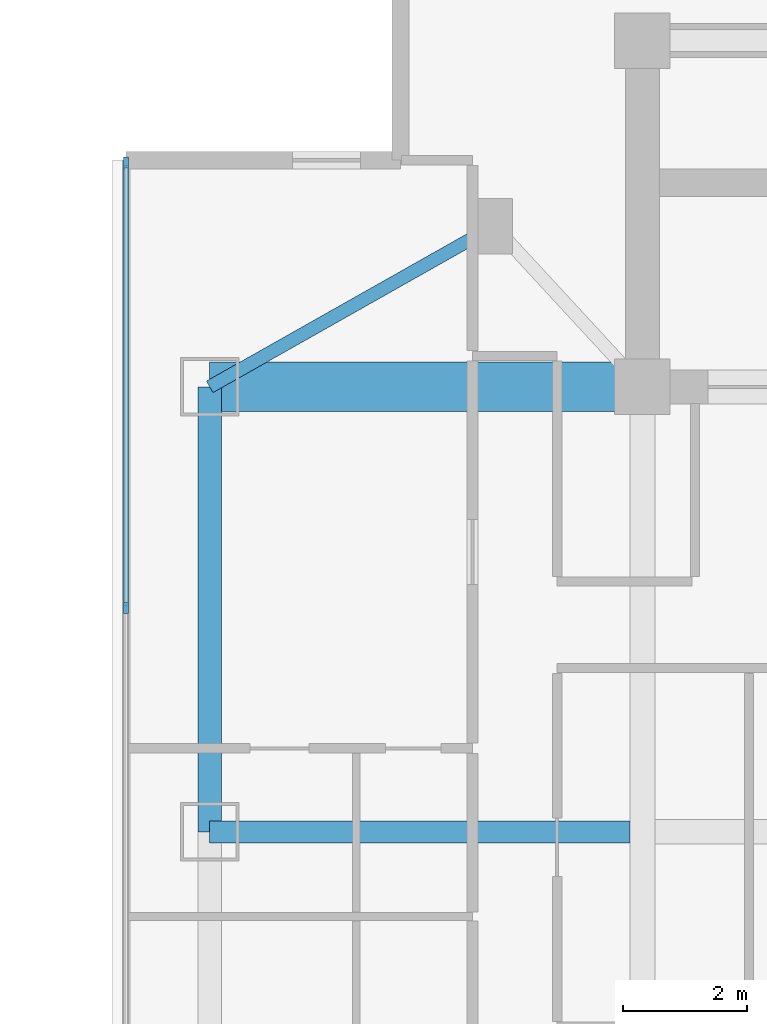
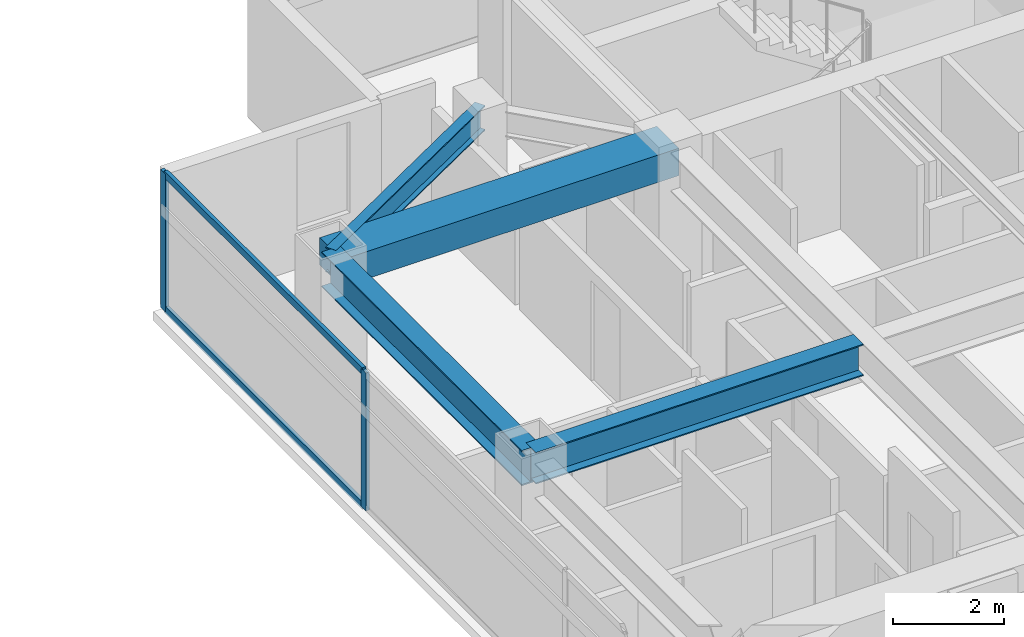
# One storey, part 7 of 24: 4 beams, 4 members, 1 element without a shape of its own.
"""IFC4 building model written with IfcOpenShell, lengths in metres."""

from ifc_helpers import new_model, si_unit, direction, frame, origin, origin_2d, place, context, subcontext, project, spatial, rectangle, i_section, extrude, material, material_profile, profile_set, type_object, element, aggregate, save


model = new_model("IFC4")

# Units and contexts
model_context = context("Model", 3, precision=1e-05, world=origin(), true_north=direction((0.0, 1.0)))
body_context = subcontext(model_context, "Body", "Model", "MODEL_VIEW")
ifc_project = project(units=[si_unit("LENGTHUNIT", "METRE"), si_unit("AREAUNIT", "SQUARE_METRE"), si_unit("VOLUMEUNIT", "CUBIC_METRE"), si_unit("PLANEANGLEUNIT", "RADIAN"), si_unit("MASSUNIT", "GRAM", prefix="KILO")], contexts=[model_context])

# Site, building, storey
site_placement = place(None, origin())
site = spatial("IfcSite", under=ifc_project, at=site_placement, CompositionType="ELEMENT")
building_placement = place(site_placement, origin())
building = spatial("IfcBuilding", under=site, at=building_placement, Name="Mirazonda Arch Towers", CompositionType="ELEMENT")
storey_placement = place(building_placement, frame((0.0, 0.0, 190.14990234375)))
storey = spatial("IfcBuildingStorey", under=building, at=storey_placement, Name="L54", CompositionType="ELEMENT", Elevation=190.14990234375)

# Beams
ifc_material_1 = material(Name="Steel ASTM A992 Grade 50", Category="steel")
ifc_material_profile_1 = material_profile(ifc_material_1, i_section(OverallWidth=0.381103515625, OverallDepth=0.77294921875, WebThickness=0.0166015625, FlangeThickness=0.027099609375, at=origin_2d()), Name="W30X173")
ifc_profile_set_1 = profile_set([ifc_material_profile_1], Name="Steel ASTM A992 Grade 50")
beam_type_1 = type_object("IfcBeamType", Name="BM-EXT-W30X173", PredefinedType="USERDEFINED", material=ifc_profile_set_1)
beam_1_placement = place(storey_placement, frame((61.0, 28.0, 2.66357421875), z_axis=(0.0, 1.0, 0.0), x_axis=(-1.0, 0.0, 0.0)))
element("IfcBeam", 1, at=beam_1_placement, inside=storey, type_object=beam_type_1, Name="L54 Floor Beam BM-T2-L54-NS-W-28", ObjectType="GIRDER", PredefinedType="USERDEFINED", context=body_context, shape_type="SweptSolid", body=[
    extrude(i_section(OverallWidth=0.381103515625, OverallDepth=0.77294921875, WebThickness=0.0166015625, FlangeThickness=0.027099609375, at=origin_2d()), origin(), (0.0, 0.0, 1.0), 7.199951171875),
])
ifc_material_profile_2 = material_profile(ifc_material_1, i_section(OverallWidth=0.214111328125, OverallDepth=0.549072265625, WebThickness=0.0146484375, FlangeThickness=0.023681640625, at=origin_2d()), Name="W21X93")
ifc_profile_set_2 = profile_set([ifc_material_profile_2], Name="Steel ASTM A992 Grade 50")
beam_type_2 = type_object("IfcBeamType", Name="BM-INT-W21X93", PredefinedType="BEAM", material=ifc_profile_set_2)
beam_2_placement = place(storey_placement, frame((65.60009765625, 37.800048828125, 2.775634765625), z_axis=(-0.870559396632, -0.492063346467, 0.0), x_axis=(0.492063346467, -0.870559396632, 0.0)))
element("IfcBeam", 2, at=beam_2_placement, inside=storey, type_object=beam_type_2, Name="L54 Floor Beam BM-T2-L54-PL-NW2", PredefinedType="BEAM", context=body_context, shape_type="SweptSolid", body=[
    extrude(i_section(OverallWidth=0.214111328125, OverallDepth=0.549072265625, WebThickness=0.0146484375, FlangeThickness=0.023681640625, at=origin_2d()), origin(), (0.0, 0.0, 1.0), 5.2841796875),
])
ifc_material_profile_3 = material_profile(ifc_material_1, i_section(OverallWidth=0.35498046875, OverallDepth=0.696044921875, WebThickness=0.015380859375, FlangeThickness=0.02490234375, at=origin_2d()), Name="W27X146")
ifc_profile_set_3 = profile_set([ifc_material_profile_3], Name="Steel ASTM A992 Grade 50")
beam_type_3 = type_object("IfcBeamType", Name="BM-INT-W27X146", PredefinedType="BEAM", material=ifc_profile_set_3)
beam_3_placement = place(storey_placement, frame((61.0, 28.0, 2.7021484375), z_axis=(1.0, 0.0, 0.0), x_axis=(0.0, 1.0, 0.0)))
element("IfcBeam", 3, at=beam_3_placement, inside=storey, type_object=beam_type_3, Name="L54 Floor Beam BM-T2-L54-GW2", PredefinedType="BEAM", context=body_context, shape_type="SweptSolid", body=[
    extrude(i_section(OverallWidth=0.35498046875, OverallDepth=0.696044921875, WebThickness=0.015380859375, FlangeThickness=0.02490234375, at=origin_2d()), origin(), (0.0, 0.0, 1.0), 6.800048828125),
])
ifc_material_2 = material(Name="Concrete C60/75", Category="concrete")
ifc_material_profile_4 = material_profile(ifc_material_2, rectangle(XDim=0.800048828125, YDim=0.60009765625, at=origin_2d()), Name="RCCB800x600")
ifc_profile_set_4 = profile_set([ifc_material_profile_4], Name="Concrete C60/75")
beam_type_4 = type_object("IfcBeamType", Name="CB-INT-RCCB800x600", PredefinedType="SPANDREL", material=ifc_profile_set_4)
beam_4_placement = place(storey_placement, frame((61.0, 35.199951171875, 2.75), z_axis=(1.0, 0.0, 0.0), x_axis=(0.0, 1.0, 0.0)))
element("IfcBeam", 4, at=beam_4_placement, inside=storey, type_object=beam_type_4, Name="L54 Floor Beam CBC-T2-L54-NW", PredefinedType="SPANDREL", context=body_context, shape_type="SweptSolid", body=[
    extrude(rectangle(XDim=0.800048828125, YDim=0.60009765625, at=origin_2d()), origin(), (0.0, 0.0, 1.0), 7.0),
])

# Curtain wall, members
ifc_material_3 = material(Name="Anodised Aluminium and Low-E Glass", Category="aluminium")
curtain_wall_type = type_object("IfcCurtainWallType", Name="CW-RES-UNIT", PredefinedType="NOTDEFINED", material=ifc_material_3)
curtain_wall_placement = place(storey_placement, origin())
curtain_wall = element("IfcCurtainWall", 5, at=curtain_wall_placement, inside=storey, type_object=curtain_wall_type, Name="L54 T2 W Facade CW-L54-T2-W", PredefinedType="NOTDEFINED")
ifc_material_4 = material(Name="Anodised Aluminium Alloy", Category="aluminium")
ifc_material_profile_5 = material_profile(ifc_material_4, rectangle(XDim=0.074951171875, YDim=0.175048828125, at=origin_2d()), Name="ALU-MULL-75x175")
ifc_profile_set_5 = profile_set([ifc_material_profile_5], Name="Anodised Aluminium Alloy")
member_type_1 = type_object("IfcMemberType", Name="MULL-CW-RES-UNIT", PredefinedType="MULLION", material=ifc_profile_set_5)
member_1_placement = place(storey_placement, frame((59.646484375, 38.827880859375, 0.0), z_axis=(0.0, 0.0, 1.0), x_axis=(1.0, 0.0, 0.0)))
member_1 = element("IfcMember", 6, at=member_1_placement, type_object=member_type_1, Name="CW-104 mullion 1", PredefinedType="MULLION", context=body_context, shape_type="SweptSolid", body=[
    extrude(rectangle(XDim=0.074951171875, YDim=0.175048828125, at=origin_2d()), origin(), (0.0, 0.0, 1.0), 3.030029296875),
])
member_2_placement = place(storey_placement, frame((59.646484375, 31.621826171875, 0.0), z_axis=(0.0, 0.0, 1.0), x_axis=(1.0, 0.0, 0.0)))
member_2 = element("IfcMember", 7, at=member_2_placement, type_object=member_type_1, Name="CW-104 mullion 2", PredefinedType="MULLION", context=body_context, shape_type="SweptSolid", body=[
    extrude(rectangle(XDim=0.074951171875, YDim=0.175048828125, at=origin_2d()), origin(), (0.0, 0.0, 1.0), 3.030029296875),
])
ifc_material_profile_6 = material_profile(ifc_material_4, rectangle(XDim=0.074951171875, YDim=0.155029296875, at=origin_2d()), Name="ALU-TRAN-75x155")
ifc_profile_set_6 = profile_set([ifc_material_profile_6], Name="Anodised Aluminium Alloy")
member_type_2 = type_object("IfcMemberType", Name="TRAN-CW-RES-UNIT", PredefinedType="USERDEFINED", material=ifc_profile_set_6)
member_3_placement = place(storey_placement, frame((59.646484375, 38.790283203125, 0.03759765625), z_axis=(0.0, -1.0, 0.0), x_axis=(1.0, 0.0, 0.0)))
member_3 = element("IfcMember", 8, at=member_3_placement, type_object=member_type_2, Name="CW-104 transom 1.1", ObjectType="TRANSOM", PredefinedType="USERDEFINED", context=body_context, shape_type="SweptSolid", body=[
    extrude(rectangle(XDim=0.074951171875, YDim=0.155029296875, at=origin_2d()), origin(), (0.0, 0.0, 1.0), 7.131103515625),
])
member_4_placement = place(storey_placement, frame((59.646484375, 38.790283203125, 2.99267578125), z_axis=(0.0, -1.0, 0.0), x_axis=(1.0, 0.0, 0.0)))
member_4 = element("IfcMember", 9, at=member_4_placement, type_object=member_type_2, Name="CW-104 transom 1.2", ObjectType="TRANSOM", PredefinedType="USERDEFINED", context=body_context, shape_type="SweptSolid", body=[
    extrude(rectangle(XDim=0.074951171875, YDim=0.155029296875, at=origin_2d()), origin(), (0.0, 0.0, 1.0), 7.131103515625),
])
aggregate(curtain_wall, [member_1, member_2, member_3, member_4])

save(model, "model.ifc")
